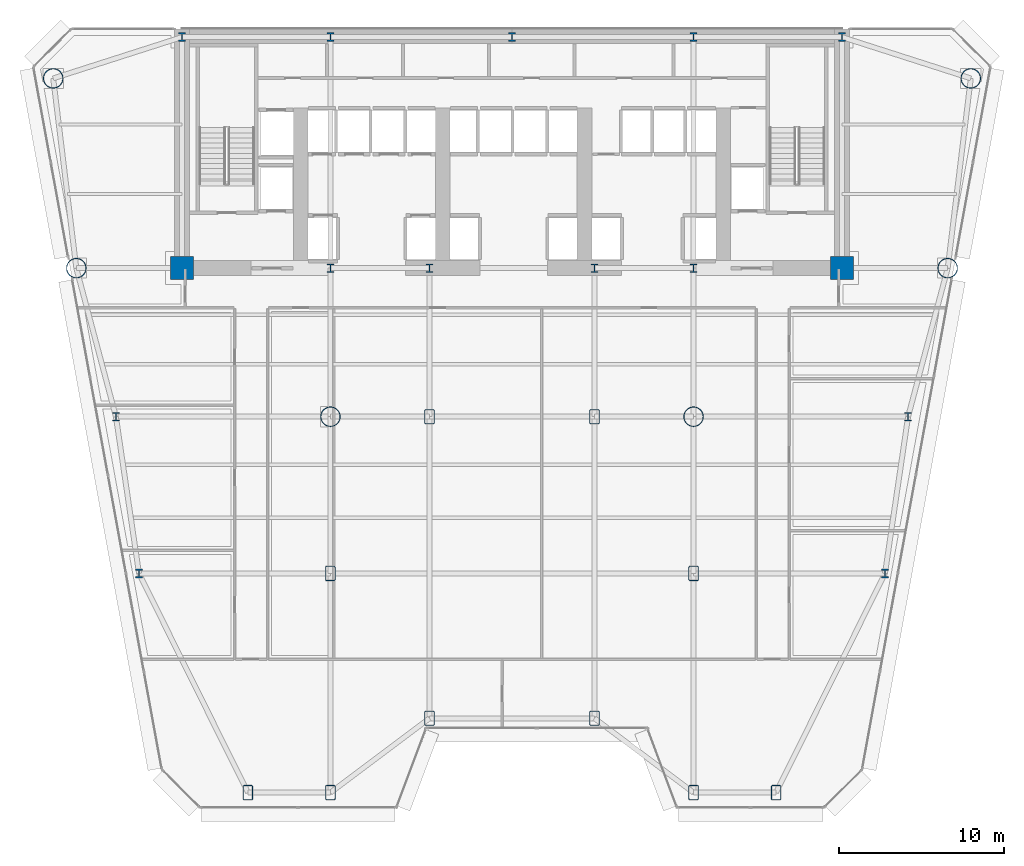
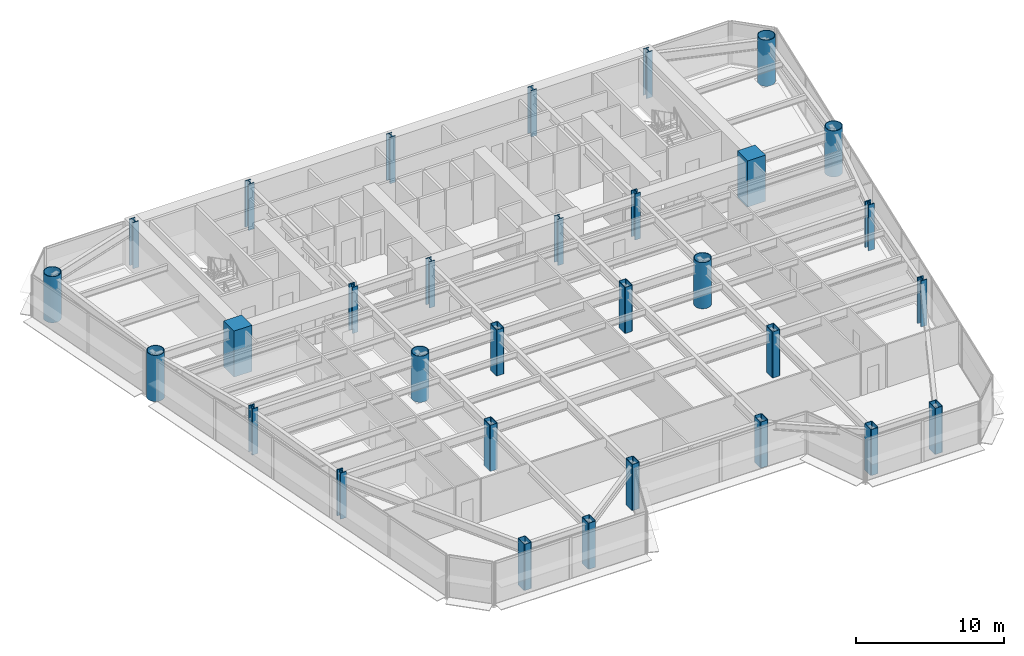
# One storey, part 1 of 14: 31 columns.
"""IFC4 building model written with IfcOpenShell, lengths in metres."""

from ifc_helpers import new_model, si_unit, direction, frame, origin, origin_2d, place, context, subcontext, project, spatial, rectangle, hollow_rectangle, hollow_circle, i_section, extrude, source, transform, mapped, material, material_profile, profile_set, type_object, element, save


model = new_model("IFC4")

# Units and contexts
model_context = context("Model", 3, precision=1e-05, world=origin(), true_north=direction((0.0, 1.0)))
body_context = subcontext(model_context, "Body", "Model", "MODEL_VIEW")
ifc_project = project(units=[si_unit("LENGTHUNIT", "METRE"), si_unit("AREAUNIT", "SQUARE_METRE"), si_unit("VOLUMEUNIT", "CUBIC_METRE"), si_unit("PLANEANGLEUNIT", "RADIAN"), si_unit("MASSUNIT", "GRAM", prefix="KILO")], contexts=[model_context])

# Site, building, storey
site_placement = place(None, origin())
site = spatial("IfcSite", under=ifc_project, at=site_placement, CompositionType="ELEMENT")
building_placement = place(site_placement, origin())
building = spatial("IfcBuilding", under=site, at=building_placement, Name="Vaeldorn Concourse Tower", CompositionType="ELEMENT")
storey_placement = place(building_placement, frame((0.0, 0.0, 79.60009765625)))
storey = spatial("IfcBuildingStorey", under=building, at=storey_placement, Name="L20", CompositionType="ELEMENT", Elevation=79.60009765625)

# Columns
ifc_material_1 = material(Name="Concrete C60/75", Category="concrete")
ifc_material_profile_1 = material_profile(ifc_material_1, rectangle(XDim=1.39990234375, YDim=1.39990234375, at=origin_2d()), Name="RC 1400x1400")
ifc_profile_set_1 = profile_set([ifc_material_profile_1], Name="Concrete C60/75")
column_type_1 = type_object("IfcColumnType", Name="COL-RC1400", PredefinedType="COLUMN", material=ifc_profile_set_1)
shared_shape_1 = source(origin(), body_context, "Body", "SweptSolid", [
    extrude(rectangle(XDim=1.39990234375, YDim=1.39990234375, at=origin_2d()), origin(), (0.0, 0.0, 1.0), 3.7998046875),
])
for number, where, z_axis, x_axis, name in (
    (1, (14.0, 36.5, 0.0), (0.0, 0.0, 1.0), (1.0, 0.0, 0.0), "Column C-FC1 L20"),
    (2, (54.0, 36.5, 0.0), (0.0, 0.0, 1.0), (1.0, 0.0, 0.0), "Column C-FC6 L20"),
):
    element("IfcColumn", number, at=place(storey_placement, frame(where, z_axis=z_axis, x_axis=x_axis)), inside=storey, type_object=column_type_1, Name=name, PredefinedType="COLUMN", context=body_context, shape_type="MappedRepresentation", body=[
        mapped(shared_shape_1, transform((0.0, 0.0, 0.0), scale=1.0)),
    ])
ifc_material_2 = material(Name="Steel S460", Category="steel")
ifc_material_profile_2 = material_profile(ifc_material_2, i_section(OverallWidth=0.44189453125, OverallDepth=0.531005859375, WebThickness=0.06494140625, FlangeThickness=0.075927734375, FilletRadius=0.014892578125, at=origin_2d()), Name="HD 400x900")
ifc_profile_set_2 = profile_set([ifc_material_profile_2], Name="Steel S460")
column_type_2 = type_object("IfcColumnType", Name="COL-HD900", PredefinedType="COLUMN", material=ifc_profile_set_2)
shared_shape_2 = source(origin(), body_context, "Body", "SweptSolid", [
    extrude(i_section(OverallWidth=0.44189453125, OverallDepth=0.531005859375, WebThickness=0.06494140625, FlangeThickness=0.075927734375, FilletRadius=0.014892578125, at=origin_2d()), origin(), (0.0, 0.0, 1.0), 3.7998046875),
])
for number, where, z_axis, x_axis, name in (
    (3, (23.0, 36.5, 0.0), (0.0, 0.0, 1.0), (1.0, 0.0, 0.0), "Column C-FC2 L20"),
    (4, (29.0, 36.5, 0.0), (0.0, 0.0, 1.0), (1.0, 0.0, 0.0), "Column C-FC3 L20"),
    (5, (39.0, 36.5, 0.0), (0.0, 0.0, 1.0), (1.0, 0.0, 0.0), "Column C-FC4 L20"),
    (6, (45.0, 36.5, 0.0), (0.0, 0.0, 1.0), (1.0, 0.0, 0.0), "Column C-FC5 L20"),
    (7, (14.0, 50.5, 0.0), (0.0, 0.0, 1.0), (1.0, 0.0, 0.0), "Column C-HC1 L20"),
    (8, (23.0, 50.5, 0.0), (0.0, 0.0, 1.0), (1.0, 0.0, 0.0), "Column C-HC2 L20"),
    (9, (34.0, 50.5, 0.0), (0.0, 0.0, 1.0), (1.0, 0.0, 0.0), "Column C-HC3 L20"),
    (10, (45.0, 50.5, 0.0), (0.0, 0.0, 1.0), (1.0, 0.0, 0.0), "Column C-HC4 L20"),
    (11, (54.0, 50.5, 0.0), (0.0, 0.0, 1.0), (1.0, 0.0, 0.0), "Column C-HC5 L20"),
):
    element("IfcColumn", number, at=place(storey_placement, frame(where, z_axis=z_axis, x_axis=x_axis)), inside=storey, type_object=column_type_2, Name=name, PredefinedType="COLUMN", context=body_context, shape_type="MappedRepresentation", body=[
        mapped(shared_shape_2, transform((0.0, 0.0, 0.0), scale=1.0)),
    ])
ifc_material_profile_3 = material_profile(ifc_material_2, hollow_circle(Radius=0.609619140625, WallThickness=0.050048828125, at=origin_2d()), Name="CHS 1219x50")
ifc_profile_set_3 = profile_set([ifc_material_profile_3], Name="Steel S460")
column_type_3 = type_object("IfcColumnType", Name="COL-CHS1219", PredefinedType="COLUMN", material=ifc_profile_set_3)
shared_shape_3 = source(origin(), body_context, "Body", "SweptSolid", [
    extrude(hollow_circle(Radius=0.609619140625, WallThickness=0.050048828125, at=origin_2d()), origin(), (0.0, 0.0, 1.0), 3.7998046875),
])
for number, where, z_axis, x_axis, name in (
    (12, (6.199951171875, 48.0, 0.0), (0.0, 0.0, 1.0), (1.0, 0.0, 0.0), "Column C-NW1 L20"),
    (13, (7.60009765625, 36.5, 0.0), (0.0, 0.0, 1.0), (1.0, 0.0, 0.0), "Column C-NW2 L20"),
    (14, (61.800048828125, 48.0, 0.0), (0.0, 0.0, 1.0), (1.0, 0.0, 0.0), "Column C-NE1 L20"),
    (15, (60.39990234375, 36.5, 0.0), (0.0, 0.0, 1.0), (1.0, 0.0, 0.0), "Column C-NE2 L20"),
    (16, (23.0, 27.5, 0.0), (0.0, 0.0, 1.0), (1.0, 0.0, 0.0), "Column C-TW1 L20"),
    (17, (45.0, 27.5, 0.0), (0.0, 0.0, 1.0), (1.0, 0.0, 0.0), "Column C-TW4 L20"),
):
    element("IfcColumn", number, at=place(storey_placement, frame(where, z_axis=z_axis, x_axis=x_axis)), inside=storey, type_object=column_type_3, Name=name, PredefinedType="COLUMN", context=body_context, shape_type="MappedRepresentation", body=[
        mapped(shared_shape_3, transform((0.0, 0.0, 0.0), scale=1.0)),
    ])
ifc_material_profile_4 = material_profile(ifc_material_2, i_section(OverallWidth=0.44189453125, OverallDepth=0.531005859375, WebThickness=0.06494140625, FlangeThickness=0.075927734375, FilletRadius=0.014892578125, at=origin_2d()), Name="HD 400x900")
ifc_profile_set_4 = profile_set([ifc_material_profile_4], Name="Steel S460")
column_type_4 = type_object("IfcColumnType", Name="COL-HD900F", PredefinedType="COLUMN", material=ifc_profile_set_4)
shared_shape_4 = source(origin(), body_context, "Body", "SweptSolid", [
    extrude(i_section(OverallWidth=0.44189453125, OverallDepth=0.531005859375, WebThickness=0.06494140625, FlangeThickness=0.075927734375, FilletRadius=0.014892578125, at=origin_2d()), origin(), (0.0, 0.0, 1.0), 3.7998046875),
])
for number, where, z_axis, x_axis, name in (
    (18, (10.0, 27.5, 0.0), (0.0, 0.0, 1.0), (1.0, 0.0, 0.0), "Column C-FLW1 L20"),
    (19, (11.39990234375, 18.0, 0.0), (0.0, 0.0, 1.0), (1.0, 0.0, 0.0), "Column C-FLW2 L20"),
    (20, (58.0, 27.5, 0.0), (0.0, 0.0, 1.0), (1.0, 0.0, 0.0), "Column C-FLE1 L20"),
    (21, (56.60009765625, 18.0, 0.0), (0.0, 0.0, 1.0), (1.0, 0.0, 0.0), "Column C-FLE2 L20"),
):
    element("IfcColumn", number, at=place(storey_placement, frame(where, z_axis=z_axis, x_axis=x_axis)), inside=storey, type_object=column_type_4, Name=name, PredefinedType="COLUMN", context=body_context, shape_type="MappedRepresentation", body=[
        mapped(shared_shape_4, transform((0.0, 0.0, 0.0), scale=1.0)),
    ])
ifc_material_profile_5 = material_profile(ifc_material_2, hollow_rectangle(XDim=0.60009765625, YDim=0.89990234375, WallThickness=0.0400390625, InnerFilletRadius=0.0400390625, OuterFilletRadius=0.080078125, at=origin_2d()), Name="RHS 900x600x40")
ifc_profile_set_5 = profile_set([ifc_material_profile_5], Name="Steel S460")
column_type_5 = type_object("IfcColumnType", Name="COL-RHS900", PredefinedType="COLUMN", material=ifc_profile_set_5)
shared_shape_5 = source(origin(), body_context, "Body", "SweptSolid", [
    extrude(hollow_rectangle(XDim=0.60009765625, YDim=0.89990234375, WallThickness=0.0400390625, InnerFilletRadius=0.0400390625, OuterFilletRadius=0.080078125, at=origin_2d()), origin(), (0.0, 0.0, 1.0), 3.7998046875),
])
for number, where, z_axis, x_axis, name in (
    (22, (29.0, 27.5, 0.0), (0.0, 0.0, 1.0), (1.0, 0.0, 0.0), "Column C-TW2 L20"),
    (23, (39.0, 27.5, 0.0), (0.0, 0.0, 1.0), (1.0, 0.0, 0.0), "Column C-TW3 L20"),
    (24, (23.0, 18.0, 0.0), (0.0, 0.0, 1.0), (1.0, 0.0, 0.0), "Column C-TW5 L20"),
    (25, (45.0, 18.0, 0.0), (0.0, 0.0, 1.0), (1.0, 0.0, 0.0), "Column C-TW6 L20"),
    (26, (18.0, 4.72509765625, 0.0), (0.0, 0.0, 1.0), (1.0, 0.0, 0.0), "Column C-SF1 L20"),
    (27, (23.0, 4.72509765625, 0.0), (0.0, 0.0, 1.0), (1.0, 0.0, 0.0), "Column C-SF2 L20"),
    (28, (29.0, 9.22509765625, 0.0), (0.0, 0.0, 1.0), (1.0, 0.0, 0.0), "Column C-SF3 L20"),
    (29, (39.0, 9.22509765625, 0.0), (0.0, 0.0, 1.0), (1.0, 0.0, 0.0), "Column C-SF4 L20"),
    (30, (45.0, 4.72509765625, 0.0), (0.0, 0.0, 1.0), (1.0, 0.0, 0.0), "Column C-SF5 L20"),
    (31, (50.0, 4.72509765625, 0.0), (0.0, 0.0, 1.0), (1.0, 0.0, 0.0), "Column C-SF6 L20"),
):
    element("IfcColumn", number, at=place(storey_placement, frame(where, z_axis=z_axis, x_axis=x_axis)), inside=storey, type_object=column_type_5, Name=name, PredefinedType="COLUMN", context=body_context, shape_type="MappedRepresentation", body=[
        mapped(shared_shape_5, transform((0.0, 0.0, 0.0), scale=1.0)),
    ])

save(model, "model.ifc")
